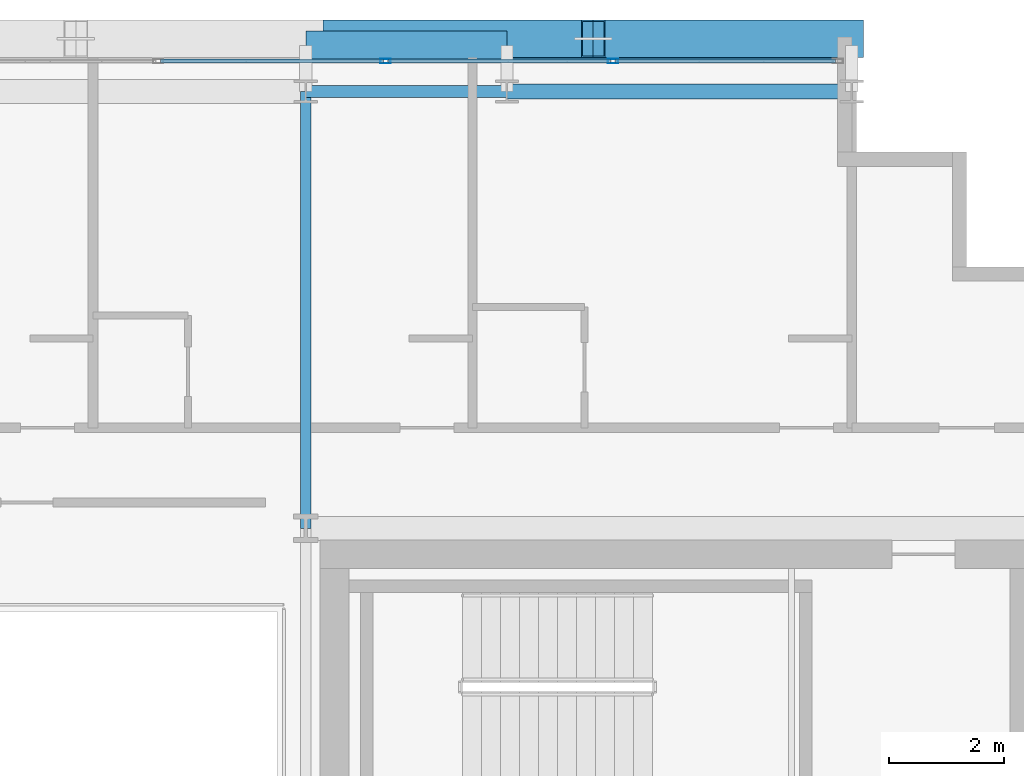
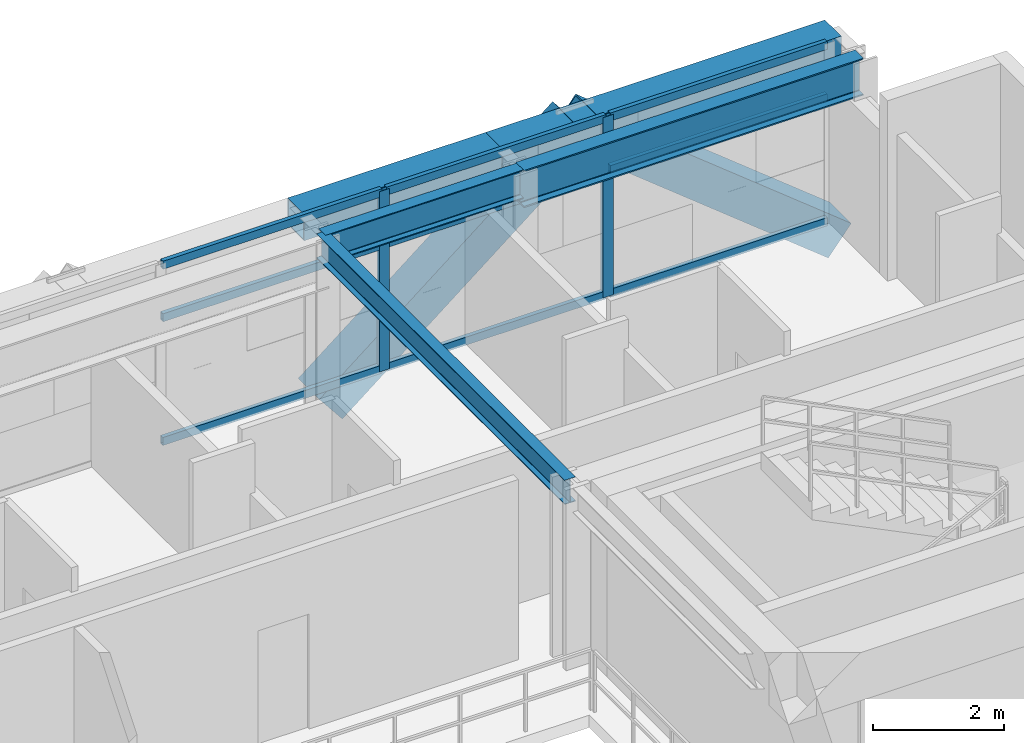
# One storey, part 18 of 31: 13 members, 5 beams, 1 element without a shape of its own.
"""IFC4 building model written with IfcOpenShell, lengths in metres."""

from ifc_helpers import new_model, si_unit, direction, frame, origin, origin_2d, place, context, subcontext, project, spatial, hollow_rectangle, i_section, extrude, source, transform, mapped, material, layer, layer_set, material_profile, profile_set, type_object, element, aggregate, save


model = new_model("IFC4")

# Units and contexts
model_context = context("Model", 3, precision=1e-05, world=origin(), true_north=direction((0.0, 1.0)))
body_context = subcontext(model_context, "Body", "Model", "MODEL_VIEW")
ifc_project = project(units=[si_unit("LENGTHUNIT", "METRE"), si_unit("AREAUNIT", "SQUARE_METRE"), si_unit("VOLUMEUNIT", "CUBIC_METRE"), si_unit("PLANEANGLEUNIT", "RADIAN"), si_unit("MASSUNIT", "GRAM", prefix="KILO")], contexts=[model_context])

# Site, building, storey
site_placement = place(None, origin())
site = spatial("IfcSite", under=ifc_project, at=site_placement, CompositionType="ELEMENT")
building_placement = place(site_placement, origin())
building = spatial("IfcBuilding", under=site, at=building_placement, Name="Ocotamira Hotel", CompositionType="ELEMENT")
storey_placement = place(building_placement, frame((0.0, 0.0, 210.0)))
storey = spatial("IfcBuildingStorey", under=building, at=storey_placement, Name="L53", CompositionType="ELEMENT", Elevation=210.0)

# Beams
ifc_material_1 = material(Name="Steel ASTM A992 Grade 50", Category="steel")
ifc_material_profile_1 = material_profile(ifc_material_1, i_section(OverallWidth=0.256103515625, OverallDepth=0.693115234375, WebThickness=0.014404296875, FlangeThickness=0.023681640625, FilletRadius=0.01611328125, at=origin_2d()), Name="W27X114")
ifc_profile_set_1 = profile_set([ifc_material_profile_1], Name="Steel ASTM A992 Grade 50")
beam_type_1 = type_object("IfcBeamType", Name="BM-PRIM-W27X114", PredefinedType="BEAM", material=ifc_profile_set_1)
shared_shape_1 = source(origin(), body_context, "Body", "SweptSolid", [
    extrude(i_section(OverallWidth=0.256103515625, OverallDepth=0.693115234375, WebThickness=0.014404296875, FlangeThickness=0.023681640625, FilletRadius=0.01611328125, at=origin_2d()), origin(), (0.0, 0.0, 1.0), 6.0),
])
beam_1_placement = place(storey_placement, frame((44.0, 45.050048828125, 3.0234375), z_axis=(1.0, 0.0, 0.0), x_axis=(0.0, 1.0, 0.0)))
element("IfcBeam", 1, at=beam_1_placement, inside=storey, type_object=beam_type_1, Name="L53 Girder Y45.05 X44-50", PredefinedType="BEAM", context=body_context, shape_type="MappedRepresentation", body=[
    mapped(shared_shape_1, transform((0.0, 0.0, 0.0), scale=1.0)),
])
ifc_material_profile_2 = material_profile(ifc_material_1, i_section(OverallWidth=0.2099609375, OverallDepth=0.537109375, WebThickness=0.010986328125, FlangeThickness=0.017333984375, FilletRadius=0.012939453125, at=origin_2d()), Name="W21X68")
ifc_profile_set_2 = profile_set([ifc_material_profile_2], Name="Steel ASTM A992 Grade 50")
beam_type_2 = type_object("IfcBeamType", Name="BM-SEC-W21X68", PredefinedType="JOIST", material=ifc_profile_set_2)
shared_shape_2 = source(origin(), body_context, "Body", "SweptSolid", [
    extrude(i_section(OverallWidth=0.2099609375, OverallDepth=0.537109375, WebThickness=0.010986328125, FlangeThickness=0.017333984375, FilletRadius=0.012939453125, at=origin_2d()), origin(), (0.0, 0.0, 1.0), 3.5),
])
beam_2_placement = place(storey_placement, frame((40.5, 45.050048828125, 3.1015625), z_axis=(1.0, 0.0, 0.0), x_axis=(0.0, 1.0, 0.0)))
element("IfcBeam", 2, at=beam_2_placement, inside=storey, type_object=beam_type_2, Name="L53 Girder Y45.05 X40.5-44", PredefinedType="JOIST", context=body_context, shape_type="MappedRepresentation", body=[
    mapped(shared_shape_2, transform((0.0, 0.0, 0.0), scale=1.0)),
])
ifc_material_2 = material(Name="Steel ASTM A500 Grade C", Category="steel")
ifc_material_profile_3 = material_profile(ifc_material_2, hollow_rectangle(XDim=0.5, YDim=0.5, WallThickness=0.02001953125, at=origin_2d()), Name="HSS500X500X20")
ifc_profile_set_3 = profile_set([ifc_material_profile_3], Name="Steel ASTM A500 Grade C")
beam_type_3 = type_object("IfcBeamType", Name="BM-SPAN-HSS500", PredefinedType="USERDEFINED", material=ifc_profile_set_3)
shared_shape_3 = source(origin(), body_context, "Body", "SweptSolid", [
    extrude(hollow_rectangle(XDim=0.5, YDim=0.5, WallThickness=0.02001953125, at=origin_2d()), origin(), (0.0, 0.0, 1.0), 6.0),
])
beam_3_placement = place(storey_placement, frame((44.0, 45.85009765625, 3.1201171875), z_axis=(1.0, 0.0, 0.0), x_axis=(0.0, 1.0, 0.0)))
element("IfcBeam", 3, at=beam_3_placement, inside=storey, type_object=beam_type_3, Name="L53 Edge Spandrel N X44-50", ObjectType="SPANDREL", PredefinedType="USERDEFINED", context=body_context, shape_type="MappedRepresentation", body=[
    mapped(shared_shape_3, transform((0.0, 0.0, 0.0), scale=1.0)),
])
shared_shape_4 = source(origin(), body_context, "Body", "SweptSolid", [
    extrude(hollow_rectangle(XDim=0.5, YDim=0.5, WallThickness=0.02001953125, at=origin_2d()), origin(), (0.0, 0.0, 1.0), 3.5),
])
beam_4_placement = place(storey_placement, frame((40.5, 45.85009765625, 3.1201171875), z_axis=(1.0, 0.0, 0.0), x_axis=(0.0, 1.0, 0.0)))
element("IfcBeam", 4, at=beam_4_placement, inside=storey, type_object=beam_type_3, Name="L53 Edge Spandrel N X40.5-44", ObjectType="SPANDREL", PredefinedType="USERDEFINED", context=body_context, shape_type="MappedRepresentation", body=[
    mapped(shared_shape_4, transform((0.0, 0.0, 0.0), scale=1.0)),
])
ifc_material_profile_4 = material_profile(ifc_material_1, i_section(OverallWidth=0.18994140625, OverallDepth=0.45703125, WebThickness=0.009033203125, FlangeThickness=0.014404296875, FilletRadius=0.010009765625, at=origin_2d()), Name="W18X50")
ifc_profile_set_4 = profile_set([ifc_material_profile_4], Name="Steel ASTM A992 Grade 50")
beam_type_4 = type_object("IfcBeamType", Name="BM-SEC-W18X50", PredefinedType="JOIST", material=ifc_profile_set_4)
shared_shape_5 = source(origin(), body_context, "Body", "SweptSolid", [
    extrude(i_section(OverallWidth=0.18994140625, OverallDepth=0.45703125, WebThickness=0.009033203125, FlangeThickness=0.014404296875, FilletRadius=0.010009765625, at=origin_2d()), origin(), (0.0, 0.0, 1.0), 7.60009765625),
])
beam_5_placement = place(storey_placement, frame((40.5, 37.449951171875, 3.1416015625), z_axis=(0.0, 1.0, 0.0), x_axis=(-1.0, 0.0, 0.0)))
element("IfcBeam", 5, at=beam_5_placement, inside=storey, type_object=beam_type_4, Name="L53 Beam X40.5 Y37.45-45.05", PredefinedType="JOIST", context=body_context, shape_type="MappedRepresentation", body=[
    mapped(shared_shape_5, transform((0.0, 0.0, 0.0), scale=1.0)),
])

# Members
ifc_material_3 = material(Name="Pale-metal coated steel ASTM A913 Grade 65", Category="steel")
ifc_material_profile_5 = material_profile(ifc_material_3, hollow_rectangle(XDim=0.64990234375, YDim=0.64990234375, WallThickness=0.02197265625, at=origin_2d()), Name="BOX650X650X22")
ifc_profile_set_5 = profile_set([ifc_material_profile_5], Name="Pale-metal coated steel ASTM A913 Grade 65")
member_type_1 = type_object("IfcMemberType", Name="MEM-EXO-BOX650", PredefinedType="BRACE", material=ifc_profile_set_5)
shared_shape_6 = source(origin(), body_context, "Body", "SweptSolid", [
    extrude(hollow_rectangle(XDim=0.64990234375, YDim=0.64990234375, WallThickness=0.02197265625, at=origin_2d()), origin(), (0.0, 0.0, 1.0), 5.762939453125),
])
for number, where, z_axis, x_axis, name in (
    (6, (41.0, 45.969970703125, -0.47998046875), (0.780860543151, 0.0, 0.624705380279), (0.0, 1.0, 0.0), "L53 Exoskeleton Diagrid N3.1"),
    (7, (50.0, 45.969970703125, -0.47998046875), (-0.780860543151, 0.0, 0.624705380279), (0.0, -1.0, 0.0), "L53 Exoskeleton Diagrid N3.2"),
):
    element("IfcMember", number, at=place(storey_placement, frame(where, z_axis=z_axis, x_axis=x_axis)), inside=storey, type_object=member_type_1, Name=name, PredefinedType="BRACE", context=body_context, shape_type="MappedRepresentation", body=[
        mapped(shared_shape_6, transform((0.0, 0.0, 0.0), scale=1.0)),
    ])

# Curtain wall, members
ifc_material_4 = material(Name="Anodised pale-metal aluminium and solar glass", Category="aluminium")
ifc_layer = layer(ifc_material_4, 0.199951171875)
ifc_layer_set = layer_set([ifc_layer], Name="Anodised pale-metal aluminium and solar glass")
curtain_wall_type = type_object("IfcCurtainWallType", Name="CW-SYS4-Z3", PredefinedType="NOTDEFINED", material=ifc_layer_set)
curtain_wall_placement = place(storey_placement, origin())
curtain_wall = element("IfcCurtainWall", 8, at=curtain_wall_placement, inside=storey, type_object=curtain_wall_type, Name="L53 Curtain Wall CW-4 CW-L53-N", PredefinedType="NOTDEFINED")
ifc_material_5 = material(Name="Anodised pale-metal aluminium 6063-T6", Category="aluminium")
ifc_material_profile_6 = material_profile(ifc_material_5, hollow_rectangle(XDim=0.074951171875, YDim=0.14990234375, WallThickness=0.006103515625, at=origin_2d()), Name="HSS150X75X6")
ifc_profile_set_6 = profile_set([ifc_material_profile_6], Name="Anodised pale-metal aluminium 6063-T6")
member_type_2 = type_object("IfcMemberType", Name="CWT-150X75", PredefinedType="USERDEFINED", material=ifc_profile_set_6)
shared_shape_7 = source(origin(), body_context, "Body", "SweptSolid", [
    extrude(hollow_rectangle(XDim=0.074951171875, YDim=0.14990234375, WallThickness=0.006103515625, at=origin_2d()), origin(), (0.0, 0.0, 1.0), 3.83544921875),
])
member_1_placement = place(storey_placement, frame((45.884521484375, 45.580078125, 0.03759765625), z_axis=(1.0, 0.0, 0.0), x_axis=(0.0, 1.0, 0.0)))
member_1 = element("IfcMember", 9, at=member_1_placement, type_object=member_type_2, Name="CW-4 transom 9.1", ObjectType="TRANSOM", PredefinedType="USERDEFINED", context=body_context, shape_type="MappedRepresentation", body=[
    mapped(shared_shape_7, transform((0.0, 0.0, 0.0), scale=1.0)),
])
member_2_placement = place(storey_placement, frame((45.884521484375, 45.580078125, 2.35009765625), z_axis=(1.0, 0.0, 0.0), x_axis=(0.0, 1.0, 0.0)))
member_2 = element("IfcMember", 10, at=member_2_placement, type_object=member_type_2, Name="CW-4 transom 9.2", ObjectType="TRANSOM", PredefinedType="USERDEFINED", context=body_context, shape_type="MappedRepresentation", body=[
    mapped(shared_shape_7, transform((0.0, 0.0, 0.0), scale=1.0)),
])
member_3_placement = place(storey_placement, frame((45.884521484375, 45.580078125, 3.33251953125), z_axis=(1.0, 0.0, 0.0), x_axis=(0.0, 1.0, 0.0)))
member_3 = element("IfcMember", 11, at=member_3_placement, type_object=member_type_2, Name="CW-4 transom 9.3", ObjectType="TRANSOM", PredefinedType="USERDEFINED", context=body_context, shape_type="MappedRepresentation", body=[
    mapped(shared_shape_7, transform((0.0, 0.0, 0.0), scale=1.0)),
])
shared_shape_8 = source(origin(), body_context, "Body", "SweptSolid", [
    extrude(hollow_rectangle(XDim=0.074951171875, YDim=0.14990234375, WallThickness=0.006103515625, at=origin_2d()), origin(), (0.0, 0.0, 1.0), 3.87548828125),
])
member_4_placement = place(storey_placement, frame((37.973388671875, 45.580078125, 0.03759765625), z_axis=(1.0, 0.0, 0.0), x_axis=(0.0, 1.0, 0.0)))
member_4 = element("IfcMember", 12, at=member_4_placement, type_object=member_type_2, Name="CW-4 transom 7.1", ObjectType="TRANSOM", PredefinedType="USERDEFINED", context=body_context, shape_type="MappedRepresentation", body=[
    mapped(shared_shape_8, transform((0.0, 0.0, 0.0), scale=1.0)),
])
member_5_placement = place(storey_placement, frame((37.973388671875, 45.580078125, 2.35009765625), z_axis=(1.0, 0.0, 0.0), x_axis=(0.0, 1.0, 0.0)))
member_5 = element("IfcMember", 13, at=member_5_placement, type_object=member_type_2, Name="CW-4 transom 7.2", ObjectType="TRANSOM", PredefinedType="USERDEFINED", context=body_context, shape_type="MappedRepresentation", body=[
    mapped(shared_shape_8, transform((0.0, 0.0, 0.0), scale=1.0)),
])
member_6_placement = place(storey_placement, frame((37.973388671875, 45.580078125, 3.33251953125), z_axis=(1.0, 0.0, 0.0), x_axis=(0.0, 1.0, 0.0)))
member_6 = element("IfcMember", 14, at=member_6_placement, type_object=member_type_2, Name="CW-4 transom 7.3", ObjectType="TRANSOM", PredefinedType="USERDEFINED", context=body_context, shape_type="MappedRepresentation", body=[
    mapped(shared_shape_8, transform((0.0, 0.0, 0.0), scale=1.0)),
])
member_7_placement = place(storey_placement, frame((41.928955078125, 45.580078125, 0.03759765625), z_axis=(1.0, 0.0, 0.0), x_axis=(0.0, 1.0, 0.0)))
member_7 = element("IfcMember", 15, at=member_7_placement, type_object=member_type_2, Name="CW-4 transom 8.1", ObjectType="TRANSOM", PredefinedType="USERDEFINED", context=body_context, shape_type="MappedRepresentation", body=[
    mapped(shared_shape_8, transform((0.0, 0.0, 0.0), scale=1.0)),
])
member_8_placement = place(storey_placement, frame((41.928955078125, 45.580078125, 2.35009765625), z_axis=(1.0, 0.0, 0.0), x_axis=(0.0, 1.0, 0.0)))
member_8 = element("IfcMember", 16, at=member_8_placement, type_object=member_type_2, Name="CW-4 transom 8.2", ObjectType="TRANSOM", PredefinedType="USERDEFINED", context=body_context, shape_type="MappedRepresentation", body=[
    mapped(shared_shape_8, transform((0.0, 0.0, 0.0), scale=1.0)),
])
member_9_placement = place(storey_placement, frame((41.928955078125, 45.580078125, 3.33251953125), z_axis=(1.0, 0.0, 0.0), x_axis=(0.0, 1.0, 0.0)))
member_9 = element("IfcMember", 17, at=member_9_placement, type_object=member_type_2, Name="CW-4 transom 8.3", ObjectType="TRANSOM", PredefinedType="USERDEFINED", context=body_context, shape_type="MappedRepresentation", body=[
    mapped(shared_shape_8, transform((0.0, 0.0, 0.0), scale=1.0)),
])
ifc_material_profile_7 = material_profile(ifc_material_5, hollow_rectangle(XDim=0.080078125, YDim=0.179931640625, WallThickness=0.006103515625, at=origin_2d()), Name="HSS180X80X6")
ifc_profile_set_7 = profile_set([ifc_material_profile_7], Name="Anodised pale-metal aluminium 6063-T6")
member_type_3 = type_object("IfcMemberType", Name="CWM-180X75", PredefinedType="MULLION", material=ifc_profile_set_7)
shared_shape_9 = source(origin(), body_context, "Body", "SweptSolid", [
    extrude(hollow_rectangle(XDim=0.080078125, YDim=0.179931640625, WallThickness=0.006103515625, at=origin_2d()), origin(), (0.0, 0.0, 1.0), 3.3701171875),
])
member_10_placement = place(storey_placement, frame((41.888916015625, 45.580078125, 0.0), z_axis=(0.0, 0.0, 1.0), x_axis=(0.0, 1.0, 0.0)))
member_10 = element("IfcMember", 18, at=member_10_placement, type_object=member_type_3, Name="CW-4 mullion 8", PredefinedType="MULLION", context=body_context, shape_type="MappedRepresentation", body=[
    mapped(shared_shape_9, transform((0.0, 0.0, 0.0), scale=1.0)),
])
member_11_placement = place(storey_placement, frame((45.844482421875, 45.580078125, 0.0), z_axis=(0.0, 0.0, 1.0), x_axis=(0.0, 1.0, 0.0)))
member_11 = element("IfcMember", 19, at=member_11_placement, type_object=member_type_3, Name="CW-4 mullion 9", PredefinedType="MULLION", context=body_context, shape_type="MappedRepresentation", body=[
    mapped(shared_shape_9, transform((0.0, 0.0, 0.0), scale=1.0)),
])
aggregate(curtain_wall, [member_10, member_11, member_4, member_5, member_6, member_7, member_8, member_9, member_1, member_2, member_3])

save(model, "model.ifc")
